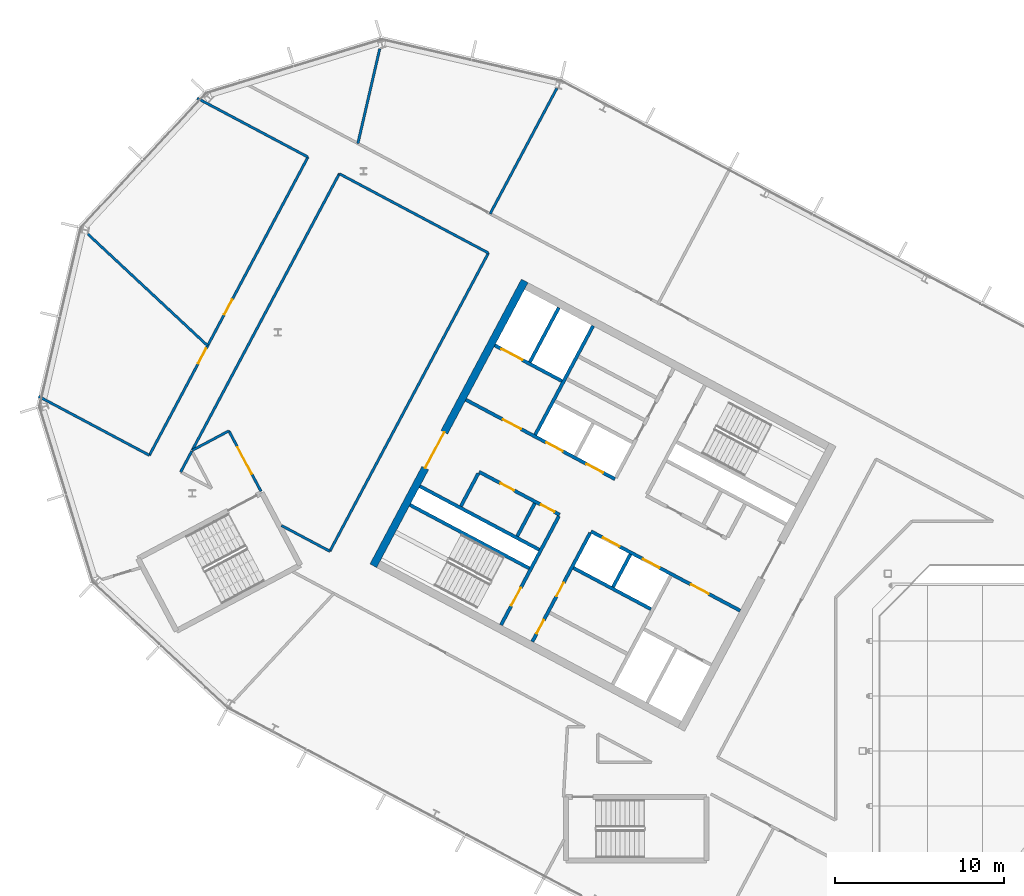
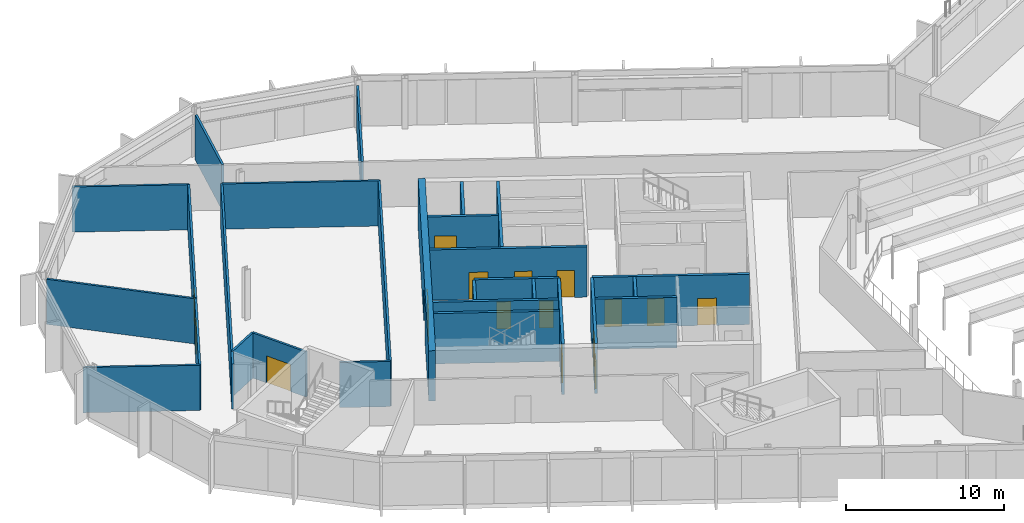
# One storey, part 24 of 35: 28 walls, 16 doors, 16 openings.
"""IFC4 building model written with IfcOpenShell, lengths in metres."""

from ifc_helpers import new_model, si_unit, direction, frame, frame_2d, origin, place, context, subcontext, project, spatial, rectangle, extrude, material, layer, layer_set, type_object, element, fill, save


model = new_model("IFC4")

# Units and contexts
model_context = context("Model", 3, precision=1e-05, world=origin(), true_north=direction((0.0, 1.0)))
body_context = subcontext(model_context, "Body", "Model", "MODEL_VIEW")
ifc_project = project(units=[si_unit("LENGTHUNIT", "METRE"), si_unit("AREAUNIT", "SQUARE_METRE"), si_unit("VOLUMEUNIT", "CUBIC_METRE"), si_unit("PLANEANGLEUNIT", "RADIAN"), si_unit("MASSUNIT", "GRAM", prefix="KILO")], contexts=[model_context])

# Site, building, storey
site_placement = place(None, origin())
site = spatial("IfcSite", under=ifc_project, at=site_placement, CompositionType="ELEMENT")
building_placement = place(site_placement, origin())
building = spatial("IfcBuilding", under=site, at=building_placement, Name="Cormorant Relay Tower", CompositionType="ELEMENT")
storey_placement = place(building_placement, frame((0.0, 0.0, 324.300048828125)))
storey = spatial("IfcBuildingStorey", under=building, at=storey_placement, Name="L74", CompositionType="ELEMENT", Elevation=324.300048828125)

# Walls
ifc_material_1 = material(Name="Concrete 40 MPa", Category="concrete")
ifc_layer_1 = layer(ifc_material_1, 0.199951171875)
ifc_layer_set_1 = layer_set([ifc_layer_1], Name="Core internal wall 200")
wall_type_1 = type_object("IfcWallType", Name="Core internal wall 200", PredefinedType="SOLIDWALL", material=ifc_layer_set_1)
wall_1_placement = place(storey_placement, frame((-25.744140625, 11.64990234375, 0.0), z_axis=(0.0, 0.0, 1.0), x_axis=(-0.469487830541, -0.882938942948, 0.0)))
element("IfcWall", 1, at=wall_1_placement, inside=storey, type_object=wall_type_1, Name="L74 core A shaft and room wall", PredefinedType="SOLIDWALL", context=body_context, shape_type="SweptSolid", body=[
    extrude(rectangle(XDim=2.2001953125, YDim=0.199951171875, at=frame_2d((1.10009765625, 0.0))), origin(), (0.0, 0.0, 1.0), 3.89990234375),
])
wall_2_placement = place(storey_placement, frame((-31.41259765625, 14.663818359375, 0.0), z_axis=(0.0, 0.0, 1.0), x_axis=(-0.469533832133, -0.882914480843, 0.0)))
element("IfcWall", 2, at=wall_2_placement, inside=storey, type_object=wall_type_1, Name="L74 core A shaft and room wall", PredefinedType="SOLIDWALL", context=body_context, shape_type="SweptSolid", body=[
    extrude(rectangle(XDim=2.199951171875, YDim=0.199951171875, at=frame_2d((1.10009765625, 0.0))), origin(), (0.0, 0.0, 1.0), 3.89990234375),
])

# Wall, openings, doors
ifc_material_2 = material(Name="Concrete 50 MPa", Category="concrete")
ifc_layer_2 = layer(ifc_material_2, 0.199951171875)
ifc_layer_set_2 = layer_set([ifc_layer_2], Name="Core shaft wall 200")
wall_type_2 = type_object("IfcWallType", Name="Core shaft wall 200", PredefinedType="SHEAR", material=ifc_layer_set_2)
wall_3_placement = place(storey_placement, frame((-28.128173828125, 12.91748046875, 0.0), z_axis=(0.0, 0.0, 1.0), x_axis=(-0.469454336211, -0.882956752176, 0.0)))
wall_3 = element("IfcWall", 3, at=wall_3_placement, inside=storey, type_object=wall_type_2, Name="L74 core A shaft wall", PredefinedType="SHEAR", context=body_context, shape_type="SweptSolid", body=[
    extrude(rectangle(XDim=7.300048828125, YDim=0.199951171875, at=frame_2d((3.64990234375, 0.0))), origin(), (0.0, 0.0, 1.0), 3.89990234375),
])
opening_1_placement = place(wall_3_placement, frame((3.35009765625, 0.0, 0.0)))
opening_1 = element("IfcOpeningElement", 4, at=opening_1_placement, cuts=wall_3, Name="Opening CDD-350", PredefinedType="OPENING", context=body_context, shape_type="SweptSolid", body=[
    extrude(rectangle(XDim=0.89990234375, YDim=2.10009765625, at=frame_2d((0.449951171875, 1.050048828125))), frame((0.0, 0.10986328125, 0.0), z_axis=(0.0, -1.0, 0.0), x_axis=(1.0, 0.0, 0.0)), (0.0, 0.0, 1.0), 0.219970703125),
])
opening_2_placement = place(wall_3_placement, frame((5.85009765625, 0.0, 0.0)))
opening_2 = element("IfcOpeningElement", 5, at=opening_2_placement, cuts=wall_3, Name="Opening CDD-351", PredefinedType="OPENING", context=body_context, shape_type="SweptSolid", body=[
    extrude(rectangle(XDim=0.89990234375, YDim=2.10009765625, at=frame_2d((0.449951171875, 1.050048828125))), frame((0.0, 0.10986328125, 0.0), z_axis=(0.0, -1.0, 0.0), x_axis=(1.0, 0.0, 0.0)), (0.0, 0.0, 1.0), 0.219970703125),
])
ifc_material_3 = material(Name="Steel fire door", Category="steel")
door_type_1 = type_object("IfcDoorType", Name="Core room door 900x2100", OperationType="SINGLE_SWING_LEFT", PredefinedType="DOOR", material=ifc_material_3)
door_1_placement = place(opening_1_placement, origin())
door_1 = element("IfcDoor", 6, at=door_1_placement, inside=storey, type_object=door_type_1, Name="Core room door 900x2100", OperationType="SINGLE_SWING_LEFT", OverallHeight=2.10009765625, OverallWidth=0.89990234375, PredefinedType="DOOR", context=body_context, shape_type="SweptSolid", body=[
    extrude(rectangle(XDim=0.89990234375, YDim=2.10009765625, at=frame_2d((0.449951171875, 1.050048828125))), frame((0.0, 0.02490234375, 0.0), z_axis=(0.0, -1.0, 0.0), x_axis=(1.0, 0.0, 0.0)), (0.0, 0.0, 1.0), 0.050048828125),
])
fill(opening_1, door_1)
door_2_placement = place(opening_2_placement, origin())
door_2 = element("IfcDoor", 7, at=door_2_placement, inside=storey, type_object=door_type_1, Name="Core room door 900x2100", OperationType="SINGLE_SWING_LEFT", OverallHeight=2.10009765625, OverallWidth=0.89990234375, PredefinedType="DOOR", context=body_context, shape_type="SweptSolid", body=[
    extrude(rectangle(XDim=0.89990234375, YDim=2.10009765625, at=frame_2d((0.449951171875, 1.050048828125))), frame((0.0, 0.02490234375, 0.0), z_axis=(0.0, -1.0, 0.0), x_axis=(1.0, 0.0, 0.0)), (0.0, 0.0, 1.0), 0.050048828125),
])
fill(opening_2, door_2)

# Wall, opening, door
wall_4_placement = place(storey_placement, frame((-29.982421875, 13.9033203125, 0.0), z_axis=(0.0, 0.0, 1.0), x_axis=(-0.469454336211, -0.882956752176, 0.0)))
wall_4 = element("IfcWall", 8, at=wall_4_placement, inside=storey, type_object=wall_type_2, Name="L74 core A shaft wall", PredefinedType="SHEAR", context=body_context, shape_type="SweptSolid", body=[
    extrude(rectangle(XDim=7.300048828125, YDim=0.199951171875, at=frame_2d((3.64990234375, 0.0))), origin(), (0.0, 0.0, 1.0), 3.89990234375),
])
opening_3_placement = place(wall_4_placement, frame((4.800048828125, 0.0, 0.0)))
opening_3 = element("IfcOpeningElement", 9, at=opening_3_placement, cuts=wall_4, Name="Opening CDB-039", PredefinedType="OPENING", context=body_context, shape_type="SweptSolid", body=[
    extrude(rectangle(XDim=1.199951171875, YDim=2.10009765625, at=frame_2d((0.60009765625, 1.050048828125))), frame((0.0, 0.10986328125, 0.0), z_axis=(0.0, -1.0, 0.0), x_axis=(1.0, 0.0, 0.0)), (0.0, 0.0, 1.0), 0.219970703125),
])
ifc_material_4 = material(Name="Steel fire door", Category="steel")
door_type_2 = type_object("IfcDoorType", Name="Core stair door 1200x2100", OperationType="SINGLE_SWING_LEFT", PredefinedType="DOOR", material=ifc_material_4)
door_3_placement = place(opening_3_placement, frame((1.199951171875, 0.0, 0.0), z_axis=(0.0, 0.0, 1.0), x_axis=(-1.0, 0.0, 0.0)))
door_3 = element("IfcDoor", 10, at=door_3_placement, inside=storey, type_object=door_type_2, Name="Core stair door 1200x2100", OperationType="SINGLE_SWING_RIGHT", OverallHeight=2.10009765625, OverallWidth=1.199951171875, PredefinedType="DOOR", context=body_context, shape_type="SweptSolid", body=[
    extrude(rectangle(XDim=1.199951171875, YDim=2.10009765625, at=frame_2d((0.60009765625, 1.050048828125))), frame((0.0, 0.02490234375, 0.0), z_axis=(0.0, -1.0, 0.0), x_axis=(1.0, 0.0, 0.0)), (0.0, 0.0, 1.0), 0.050048828125),
])
fill(opening_3, door_3)

# Walls
wall_5_placement = place(storey_placement, frame((-27.955322265625, 25.170654296875, 0.0), z_axis=(0.0, 0.0, 1.0), x_axis=(-0.469480409012, -0.88294288918, 0.0)))
element("IfcWall", 11, at=wall_5_placement, inside=storey, type_object=wall_type_2, Name="L74 core A shaft wall", PredefinedType="SHEAR", context=body_context, shape_type="SweptSolid", body=[
    extrude(rectangle(XDim=7.300048828125, YDim=0.199951171875, at=frame_2d((3.64990234375, 0.0))), origin(), (0.0, 0.0, 1.0), 3.89990234375),
])
wall_6_placement = place(storey_placement, frame((-34.750244140625, 16.4384765625, 0.0), z_axis=(0.0, 0.0, 1.0), x_axis=(-0.469401318492, -0.882984938828, 0.0)))
element("IfcWall", 12, at=wall_6_placement, inside=storey, type_object=wall_type_2, Name="L74 core A shaft wall", PredefinedType="SHEAR", context=body_context, shape_type="SweptSolid", body=[
    extrude(rectangle(XDim=2.199951171875, YDim=0.199951171875, at=frame_2d((1.10009765625, 0.0))), origin(), (0.0, 0.0, 1.0), 3.89990234375),
])
wall_7_placement = place(storey_placement, frame((-29.986083984375, 26.250244140625, 0.0), z_axis=(0.0, 0.0, 1.0), x_axis=(-0.469494272526, -0.882935517501, 0.0)))
element("IfcWall", 13, at=wall_7_placement, inside=storey, type_object=wall_type_2, Name="L74 core A shaft wall", PredefinedType="SHEAR", context=body_context, shape_type="SweptSolid", body=[
    extrude(rectangle(XDim=3.64990234375, YDim=0.199951171875, at=frame_2d((1.824951171875, 0.0))), origin(), (0.0, 0.0, 1.0), 3.89990234375),
])

# Wall, opening, door
wall_8_placement = place(storey_placement, frame((-29.80419921875, 21.906494140625, 0.0), z_axis=(0.0, 0.0, 1.0), x_axis=(-0.882960433586, 0.469447412093, 0.0)))
wall_8 = element("IfcWall", 14, at=wall_8_placement, inside=storey, type_object=wall_type_2, Name="L74 core A shaft wall", PredefinedType="SHEAR", context=body_context, shape_type="SweptSolid", body=[
    extrude(rectangle(XDim=4.5, YDim=0.199951171875, at=frame_2d((2.25, 0.0))), origin(), (0.0, 0.0, 1.0), 3.89990234375),
])
opening_4_placement = place(wall_8_placement, frame((2.64990234375, 0.0, 0.0)))
opening_4 = element("IfcOpeningElement", 15, at=opening_4_placement, cuts=wall_8, Name="Opening LD3-015", PredefinedType="OPENING", context=body_context, shape_type="SweptSolid", body=[
    extrude(rectangle(XDim=1.39990234375, YDim=2.39990234375, at=frame_2d((0.699951171875, 1.199951171875))), frame((0.0, 0.10986328125, 0.0), z_axis=(0.0, -1.0, 0.0), x_axis=(1.0, 0.0, 0.0)), (0.0, 0.0, 1.0), 0.219970703125),
])
ifc_material_5 = material(Name="Stainless steel 316", Category="steel")
door_type_3 = type_object("IfcDoorType", Name="Lift landing door 1400x2400", OperationType="DOUBLE_DOOR_SLIDING", PredefinedType="DOOR", material=ifc_material_5)
door_4_placement = place(opening_4_placement, origin())
door_4 = element("IfcDoor", 16, at=door_4_placement, inside=storey, type_object=door_type_3, Name="SV1 landing door", OperationType="DOUBLE_DOOR_SLIDING", OverallHeight=2.39990234375, OverallWidth=1.39990234375, PredefinedType="DOOR", context=body_context, shape_type="SweptSolid", body=[
    extrude(rectangle(XDim=1.39990234375, YDim=2.39990234375, at=frame_2d((0.699951171875, 1.199951171875))), frame((0.0, 0.02490234375, 0.0), z_axis=(0.0, -1.0, 0.0), x_axis=(1.0, 0.0, 0.0)), (0.0, 0.0, 1.0), 0.050048828125),
])
fill(opening_4, door_4)

# Wall, openings, doors
wall_9_placement = place(storey_placement, frame((-26.66162109375, 16.1015625, 0.0), z_axis=(0.0, 0.0, 1.0), x_axis=(-0.882940221191, 0.469485426614, 0.0)))
wall_9 = element("IfcWall", 17, at=wall_9_placement, inside=storey, type_object=wall_type_2, Name="L74 core A shaft wall", PredefinedType="SHEAR", context=body_context, shape_type="SweptSolid", body=[
    extrude(rectangle(XDim=10.0, YDim=0.199951171875, at=frame_2d((5.0, 0.0))), origin(), (0.0, 0.0, 1.0), 3.89990234375),
])
opening_5_placement = place(wall_9_placement, frame((6.300048828125, 0.0, 0.0)))
opening_5 = element("IfcOpeningElement", 18, at=opening_5_placement, cuts=wall_9, Name="Opening CDC-034", PredefinedType="OPENING", context=body_context, shape_type="SweptSolid", body=[
    extrude(rectangle(XDim=1.199951171875, YDim=2.10009765625, at=frame_2d((0.60009765625, 1.050048828125))), frame((0.0, 0.10986328125, 0.0), z_axis=(0.0, -1.0, 0.0), x_axis=(1.0, 0.0, 0.0)), (0.0, 0.0, 1.0), 0.219970703125),
])
opening_6_placement = place(wall_9_placement, frame((0.800048828125, 0.0, 0.0)))
opening_6 = element("IfcOpeningElement", 19, at=opening_6_placement, cuts=wall_9, Name="Opening LD1-067", PredefinedType="OPENING", context=body_context, shape_type="SweptSolid", body=[
    extrude(rectangle(XDim=1.10009765625, YDim=2.10009765625, at=frame_2d((0.550048828125, 1.050048828125))), frame((0.0, 0.10986328125, 0.0), z_axis=(0.0, -1.0, 0.0), x_axis=(1.0, 0.0, 0.0)), (0.0, 0.0, 1.0), 0.219970703125),
])
opening_7_placement = place(wall_9_placement, frame((3.5, 0.0, 0.0)))
opening_7 = element("IfcOpeningElement", 20, at=opening_7_placement, cuts=wall_9, Name="Opening LD1-068", PredefinedType="OPENING", context=body_context, shape_type="SweptSolid", body=[
    extrude(rectangle(XDim=1.10009765625, YDim=2.10009765625, at=frame_2d((0.550048828125, 1.050048828125))), frame((0.0, 0.10986328125, 0.0), z_axis=(0.0, -1.0, 0.0), x_axis=(1.0, 0.0, 0.0)), (0.0, 0.0, 1.0), 0.219970703125),
])
ifc_material_6 = material(Name="Steel fire door", Category="steel")
door_type_4 = type_object("IfcDoorType", Name="Core lobby door 1200x2100", OperationType="SINGLE_SWING_LEFT", PredefinedType="DOOR", material=ifc_material_6)
door_5_placement = place(opening_5_placement, origin())
door_5 = element("IfcDoor", 21, at=door_5_placement, inside=storey, type_object=door_type_4, Name="Core lobby door 1200x2100", OperationType="SINGLE_SWING_LEFT", OverallHeight=2.10009765625, OverallWidth=1.199951171875, PredefinedType="DOOR", context=body_context, shape_type="SweptSolid", body=[
    extrude(rectangle(XDim=1.199951171875, YDim=2.10009765625, at=frame_2d((0.60009765625, 1.050048828125))), frame((0.0, 0.02490234375, 0.0), z_axis=(0.0, -1.0, 0.0), x_axis=(1.0, 0.0, 0.0)), (0.0, 0.0, 1.0), 0.050048828125),
])
fill(opening_5, door_5)
ifc_material_7 = material(Name="Stainless steel 316", Category="steel")
door_type_5 = type_object("IfcDoorType", Name="Lift landing door 1100x2100", OperationType="DOUBLE_DOOR_SLIDING", PredefinedType="DOOR", material=ifc_material_7)
door_6_placement = place(opening_6_placement, origin())
door_6 = element("IfcDoor", 22, at=door_6_placement, inside=storey, type_object=door_type_5, Name="HR3 landing door", OperationType="DOUBLE_DOOR_SLIDING", OverallHeight=2.10009765625, OverallWidth=1.10009765625, PredefinedType="DOOR", context=body_context, shape_type="SweptSolid", body=[
    extrude(rectangle(XDim=1.10009765625, YDim=2.10009765625, at=frame_2d((0.550048828125, 1.050048828125))), frame((0.0, 0.02490234375, 0.0), z_axis=(0.0, -1.0, 0.0), x_axis=(1.0, 0.0, 0.0)), (0.0, 0.0, 1.0), 0.050048828125),
])
fill(opening_6, door_6)
door_7_placement = place(opening_7_placement, origin())
door_7 = element("IfcDoor", 23, at=door_7_placement, inside=storey, type_object=door_type_5, Name="HR4 landing door", OperationType="DOUBLE_DOOR_SLIDING", OverallHeight=2.10009765625, OverallWidth=1.10009765625, PredefinedType="DOOR", context=body_context, shape_type="SweptSolid", body=[
    extrude(rectangle(XDim=1.10009765625, YDim=2.10009765625, at=frame_2d((0.550048828125, 1.050048828125))), frame((0.0, 0.02490234375, 0.0), z_axis=(0.0, -1.0, 0.0), x_axis=(1.0, 0.0, 0.0)), (0.0, 0.0, 1.0), 0.050048828125),
])
fill(opening_7, door_7)

wall_10_placement = place(storey_placement, frame((-19.251708984375, 8.31103515625, 0.0), z_axis=(0.0, 0.0, 1.0), x_axis=(-0.882955722218, 0.469456273365, 0.0)))
wall_10 = element("IfcWall", 24, at=wall_10_placement, inside=storey, type_object=wall_type_2, Name="L74 core A shaft wall", PredefinedType="SHEAR", context=body_context, shape_type="SweptSolid", body=[
    extrude(rectangle(XDim=10.0, YDim=0.199951171875, at=frame_2d((5.0, 0.0))), origin(), (0.0, 0.0, 1.0), 3.89990234375),
])
opening_8_placement = place(wall_10_placement, frame((2.10009765625, 0.0, 0.0)))
opening_8 = element("IfcOpeningElement", 25, at=opening_8_placement, cuts=wall_10, Name="Opening CDC-033", PredefinedType="OPENING", context=body_context, shape_type="SweptSolid", body=[
    extrude(rectangle(XDim=1.199951171875, YDim=2.10009765625, at=frame_2d((0.60009765625, 1.050048828125))), frame((0.0, 0.10986328125, 0.0), z_axis=(0.0, -1.0, 0.0), x_axis=(1.0, 0.0, 0.0)), (0.0, 0.0, 1.0), 0.219970703125),
])
opening_9_placement = place(wall_10_placement, frame((5.39990234375, 0.0, 0.0)))
opening_9 = element("IfcOpeningElement", 26, at=opening_9_placement, cuts=wall_10, Name="Opening LD1-065", PredefinedType="OPENING", context=body_context, shape_type="SweptSolid", body=[
    extrude(rectangle(XDim=1.10009765625, YDim=2.10009765625, at=frame_2d((0.550048828125, 1.050048828125))), frame((0.0, 0.10986328125, 0.0), z_axis=(0.0, -1.0, 0.0), x_axis=(1.0, 0.0, 0.0)), (0.0, 0.0, 1.0), 0.219970703125),
])
opening_10_placement = place(wall_10_placement, frame((8.10009765625, 0.0, 0.0)))
opening_10 = element("IfcOpeningElement", 27, at=opening_10_placement, cuts=wall_10, Name="Opening LD1-066", PredefinedType="OPENING", context=body_context, shape_type="SweptSolid", body=[
    extrude(rectangle(XDim=1.10009765625, YDim=2.10009765625, at=frame_2d((0.550048828125, 1.050048828125))), frame((0.0, 0.10986328125, 0.0), z_axis=(0.0, -1.0, 0.0), x_axis=(1.0, 0.0, 0.0)), (0.0, 0.0, 1.0), 0.219970703125),
])
door_8_placement = place(opening_8_placement, origin())
door_8 = element("IfcDoor", 28, at=door_8_placement, inside=storey, type_object=door_type_4, Name="Core lobby door 1200x2100", OperationType="SINGLE_SWING_RIGHT", OverallHeight=2.10009765625, OverallWidth=1.199951171875, PredefinedType="DOOR", context=body_context, shape_type="SweptSolid", body=[
    extrude(rectangle(XDim=1.199951171875, YDim=2.10009765625, at=frame_2d((0.60009765625, 1.050048828125))), frame((0.0, 0.02490234375, 0.0), z_axis=(0.0, -1.0, 0.0), x_axis=(1.0, 0.0, 0.0)), (0.0, 0.0, 1.0), 0.050048828125),
])
fill(opening_8, door_8)
door_9_placement = place(opening_9_placement, origin())
door_9 = element("IfcDoor", 29, at=door_9_placement, inside=storey, type_object=door_type_5, Name="HR1 landing door", OperationType="DOUBLE_DOOR_SLIDING", OverallHeight=2.10009765625, OverallWidth=1.10009765625, PredefinedType="DOOR", context=body_context, shape_type="SweptSolid", body=[
    extrude(rectangle(XDim=1.10009765625, YDim=2.10009765625, at=frame_2d((0.550048828125, 1.050048828125))), frame((0.0, 0.02490234375, 0.0), z_axis=(0.0, -1.0, 0.0), x_axis=(1.0, 0.0, 0.0)), (0.0, 0.0, 1.0), 0.050048828125),
])
fill(opening_9, door_9)
door_10_placement = place(opening_10_placement, origin())
door_10 = element("IfcDoor", 30, at=door_10_placement, inside=storey, type_object=door_type_5, Name="HR2 landing door", OperationType="DOUBLE_DOOR_SLIDING", OverallHeight=2.10009765625, OverallWidth=1.10009765625, PredefinedType="DOOR", context=body_context, shape_type="SweptSolid", body=[
    extrude(rectangle(XDim=1.10009765625, YDim=2.10009765625, at=frame_2d((0.550048828125, 1.050048828125))), frame((0.0, 0.02490234375, 0.0), z_axis=(0.0, -1.0, 0.0), x_axis=(1.0, 0.0, 0.0)), (0.0, 0.0, 1.0), 0.050048828125),
])
fill(opening_10, door_10)

wall_11_placement = place(storey_placement, frame((-29.935302734375, 13.991455078125, 0.0), z_axis=(0.0, 0.0, 1.0), x_axis=(-0.882952937579, 0.469461510692, 0.0)))
wall_11 = element("IfcWall", 31, at=wall_11_placement, inside=storey, type_object=wall_type_2, Name="L74 core A shaft wall", PredefinedType="SHEAR", context=body_context, shape_type="SweptSolid", body=[
    extrude(rectangle(XDim=5.400146484375, YDim=0.199951171875, at=frame_2d((2.7001953125, 0.0))), origin(), (0.0, 0.0, 1.0), 3.89990234375),
])
opening_11_placement = place(wall_11_placement, frame((0.360107421875, 0.0, 0.0)))
opening_11 = element("IfcOpeningElement", 32, at=opening_11_placement, cuts=wall_11, Name="Opening CDD-320", PredefinedType="OPENING", context=body_context, shape_type="SweptSolid", body=[
    extrude(rectangle(XDim=0.89990234375, YDim=2.10009765625, at=frame_2d((0.449951171875, 1.050048828125))), frame((0.0, 0.10986328125, 0.0), z_axis=(0.0, -1.0, 0.0), x_axis=(1.0, 0.0, 0.0)), (0.0, 0.0, 1.0), 0.219970703125),
])
opening_12_placement = place(wall_11_placement, frame((3.06005859375, 0.0, 0.0)))
opening_12 = element("IfcOpeningElement", 33, at=opening_12_placement, cuts=wall_11, Name="Opening CDD-321", PredefinedType="OPENING", context=body_context, shape_type="SweptSolid", body=[
    extrude(rectangle(XDim=0.89990234375, YDim=2.10009765625, at=frame_2d((0.449951171875, 1.050048828125))), frame((0.0, 0.10986328125, 0.0), z_axis=(0.0, -1.0, 0.0), x_axis=(1.0, 0.0, 0.0)), (0.0, 0.0, 1.0), 0.219970703125),
])
door_11_placement = place(opening_11_placement, origin())
door_11 = element("IfcDoor", 34, at=door_11_placement, inside=storey, type_object=door_type_1, Name="Core room door 900x2100", OperationType="SINGLE_SWING_LEFT", OverallHeight=2.10009765625, OverallWidth=0.89990234375, PredefinedType="DOOR", context=body_context, shape_type="SweptSolid", body=[
    extrude(rectangle(XDim=0.89990234375, YDim=2.10009765625, at=frame_2d((0.449951171875, 1.050048828125))), frame((0.0, 0.02490234375, 0.0), z_axis=(0.0, -1.0, 0.0), x_axis=(1.0, 0.0, 0.0)), (0.0, 0.0, 1.0), 0.050048828125),
])
fill(opening_11, door_11)
door_12_placement = place(opening_12_placement, origin())
door_12 = element("IfcDoor", 35, at=door_12_placement, inside=storey, type_object=door_type_1, Name="Core room door 900x2100", OperationType="SINGLE_SWING_LEFT", OverallHeight=2.10009765625, OverallWidth=0.89990234375, PredefinedType="DOOR", context=body_context, shape_type="SweptSolid", body=[
    extrude(rectangle(XDim=0.89990234375, YDim=2.10009765625, at=frame_2d((0.449951171875, 1.050048828125))), frame((0.0, 0.02490234375, 0.0), z_axis=(0.0, -1.0, 0.0), x_axis=(1.0, 0.0, 0.0)), (0.0, 0.0, 1.0), 0.050048828125),
])
fill(opening_12, door_12)

# Walls
wall_12_placement = place(storey_placement, frame((-24.5283203125, 8.3984375, 0.0), z_axis=(0.0, 0.0, 1.0), x_axis=(-0.882953967957, 0.469459572775, 0.0)))
element("IfcWall", 36, at=wall_12_placement, inside=storey, type_object=wall_type_2, Name="L74 core A shaft wall", PredefinedType="SHEAR", context=body_context, shape_type="SweptSolid", body=[
    extrude(rectangle(XDim=5.199951171875, YDim=0.199951171875, at=frame_2d((2.60009765625, 0.0))), origin(), (0.0, 0.0, 1.0), 3.89990234375),
])
for number, where, z_axis, x_axis, name in (
    (37, (-31.150390625, 11.91943359375, 0.0), (0.0, 0.0, 1.0), (-0.882940221191, 0.469485426614, 0.0), "L74 core A shaft wall"),
    (38, (-31.7373046875, 10.815673828125, 0.0), (0.0, 0.0, 1.0), (-0.882940221191, 0.469485426614, 0.0), "L74 core A shaft wall"),
):
    element("IfcWall", number, at=place(storey_placement, frame(where, z_axis=z_axis, x_axis=x_axis)), inside=storey, type_object=wall_type_2, Name=name, PredefinedType="SHEAR", context=body_context, shape_type="SweptSolid", body=[
        extrude(rectangle(XDim=8.0, YDim=0.199951171875, at=frame_2d((4.0, 0.0))), origin(), (0.0, 0.0, 1.0), 3.89990234375),
    ])

# Wall, opening, door
ifc_material_8 = material(Name="Concrete 50 MPa", Category="concrete")
ifc_layer_3 = layer(ifc_material_8, 0.449951171875)
ifc_layer_set_3 = layer_set([ifc_layer_3], Name="Core wall 450")
wall_type_3 = type_object("IfcWallType", Name="Core wall 450", PredefinedType="SHEAR", material=ifc_layer_set_3)
wall_13_placement = place(storey_placement, frame((-32.00439453125, 27.8330078125, 0.0), z_axis=(0.0, 0.0, 1.0), x_axis=(-0.469467968382, -0.882949504028, 0.0)))
wall_13 = element("IfcWall", 39, at=wall_13_placement, inside=storey, type_object=wall_type_3, Name="L74 core A wall", PredefinedType="SHEAR", context=body_context, shape_type="SweptSolid", body=[
    extrude(rectangle(XDim=19.099853515625, YDim=0.449951171875, at=frame_2d((9.5498046875, 0.0))), origin(), (0.0, 0.0, 1.0), 3.89990234375),
])
opening_13_placement = place(wall_13_placement, frame((10.14990234375, 0.0, 0.0)))
opening_13 = element("IfcOpeningElement", 40, at=opening_13_placement, cuts=wall_13, Name="Opening CDA-051", PredefinedType="OPENING", context=body_context, shape_type="SweptSolid", body=[
    extrude(rectangle(XDim=2.39990234375, YDim=2.39990234375, at=frame_2d((1.199951171875, 1.199951171875))), frame((0.0, 0.23486328125, 0.0), z_axis=(0.0, -1.0, 0.0), x_axis=(1.0, 0.0, 0.0)), (0.0, 0.0, 1.0), 0.469970703125),
])
ifc_material_9 = material(Name="Steel fire door", Category="steel")
door_type_6 = type_object("IfcDoorType", Name="Core lobby door 2400x2400", OperationType="DOUBLE_DOOR_SINGLE_SWING", PredefinedType="DOOR", material=ifc_material_9)
door_13_placement = place(opening_13_placement, origin())
door_13 = element("IfcDoor", 41, at=door_13_placement, inside=storey, type_object=door_type_6, Name="Core lobby door 2400x2400", OperationType="DOUBLE_DOOR_SINGLE_SWING", OverallHeight=2.39990234375, OverallWidth=2.39990234375, PredefinedType="DOOR", context=body_context, shape_type="SweptSolid", body=[
    extrude(rectangle(XDim=2.39990234375, YDim=2.39990234375, at=frame_2d((1.199951171875, 1.199951171875))), frame((0.0, 0.02490234375, 0.0), z_axis=(0.0, -1.0, 0.0), x_axis=(1.0, 0.0, 0.0)), (0.0, 0.0, 1.0), 0.050048828125),
])
fill(opening_13, door_13)

# Wall, openings, doors
ifc_material_10 = material(Name="Gypsum board fire partition")
ifc_layer_4 = layer(ifc_material_10, 0.14990234375)
ifc_layer_set_4 = layer_set([ifc_layer_4], Name="Corridor partition 150 EI 60")
wall_type_4 = type_object("IfcWallType", Name="Corridor partition 150 EI 60", PredefinedType="PARTITIONING", material=ifc_layer_set_4)
wall_14_placement = place(storey_placement, frame((-54.22802734375, 17.508056640625, 0.0), z_axis=(0.0, 0.0, 1.0), x_axis=(0.469451816494, 0.882958091865, 0.0)))
wall_14 = element("IfcWall", 42, at=wall_14_placement, inside=storey, type_object=wall_type_4, Name="wall/L74/part/001", PredefinedType="PARTITIONING", context=body_context, shape_type="SweptSolid", body=[
    extrude(rectangle(XDim=19.999755859375, YDim=0.14990234375, at=frame_2d((10.0, 0.0))), origin(), (0.0, 0.0, 1.0), 3.5),
])
opening_14_placement = place(wall_14_placement, frame((9.449951171875, 0.0, 0.0)))
opening_14 = element("IfcOpeningElement", 43, at=opening_14_placement, cuts=wall_14, Name="Opening DS-282", PredefinedType="OPENING", context=body_context, shape_type="SweptSolid", body=[
    extrude(rectangle(XDim=1.0, YDim=2.10009765625, at=frame_2d((0.5, 1.050048828125))), frame((0.0, 0.0849609375, 0.0), z_axis=(0.0, -1.0, 0.0), x_axis=(1.0, 0.0, 0.0)), (0.0, 0.0, 1.0), 0.169921875),
])
opening_15_placement = place(wall_14_placement, frame((6.14990234375, 0.0, 0.0)))
opening_15 = element("IfcOpeningElement", 44, at=opening_15_placement, cuts=wall_14, Name="Opening DS-283", PredefinedType="OPENING", context=body_context, shape_type="SweptSolid", body=[
    extrude(rectangle(XDim=1.0, YDim=2.10009765625, at=frame_2d((0.5, 1.050048828125))), frame((0.0, 0.0849609375, 0.0), z_axis=(0.0, -1.0, 0.0), x_axis=(1.0, 0.0, 0.0)), (0.0, 0.0, 1.0), 0.169921875),
])
ifc_material_11 = material(Name="Timber door leaf", Category="wood")
door_type_7 = type_object("IfcDoorType", Name="Suite door 1000x2100", OperationType="SINGLE_SWING_LEFT", PredefinedType="DOOR", material=ifc_material_11)
door_14_placement = place(opening_14_placement, origin())
door_14 = element("IfcDoor", 45, at=door_14_placement, inside=storey, type_object=door_type_7, Name="door/L74/001", OperationType="SINGLE_SWING_RIGHT", OverallHeight=2.10009765625, OverallWidth=1.0, PredefinedType="DOOR", context=body_context, shape_type="SweptSolid", body=[
    extrude(rectangle(XDim=1.0, YDim=2.10009765625, at=frame_2d((0.5, 1.050048828125))), frame((0.0, 0.02490234375, 0.0), z_axis=(0.0, -1.0, 0.0), x_axis=(1.0, 0.0, 0.0)), (0.0, 0.0, 1.0), 0.050048828125),
])
fill(opening_14, door_14)
door_15_placement = place(opening_15_placement, origin())
door_15 = element("IfcDoor", 46, at=door_15_placement, inside=storey, type_object=door_type_7, Name="door/L74/002", OperationType="SINGLE_SWING_RIGHT", OverallHeight=2.10009765625, OverallWidth=1.0, PredefinedType="DOOR", context=body_context, shape_type="SweptSolid", body=[
    extrude(rectangle(XDim=1.0, YDim=2.10009765625, at=frame_2d((0.5, 1.050048828125))), frame((0.0, 0.02490234375, 0.0), z_axis=(0.0, -1.0, 0.0), x_axis=(1.0, 0.0, 0.0)), (0.0, 0.0, 1.0), 0.050048828125),
])
fill(opening_15, door_15)

# Walls
wall_15_placement = place(storey_placement, frame((-44.839111328125, 35.1669921875, 0.0), z_axis=(0.0, 0.0, 1.0), x_axis=(-0.882991834211, 0.469388347444, 0.0)))
element("IfcWall", 47, at=wall_15_placement, inside=storey, type_object=wall_type_4, Name="wall/L74/part/002", PredefinedType="PARTITIONING", context=body_context, shape_type="SweptSolid", body=[
    extrude(rectangle(XDim=7.4267578125, YDim=0.14990234375, at=frame_2d((3.71337890625, 0.0))), origin(), (0.0, 0.0, 1.0), 3.5),
])
wall_16_placement = place(storey_placement, frame((-54.22802734375, 17.508056640625, 0.0), z_axis=(0.0, 0.0, 1.0), x_axis=(-0.882937333257, 0.469490857783, 0.0)))
element("IfcWall", 48, at=wall_16_placement, inside=storey, type_object=wall_type_4, Name="wall/L74/part/004", PredefinedType="PARTITIONING", context=body_context, shape_type="SweptSolid", body=[
    extrude(rectangle(XDim=7.42724609375, YDim=0.14990234375, at=frame_2d((3.713623046875, 0.0))), origin(), (0.0, 0.0, 1.0), 3.5),
])

# Wall, opening, door
wall_17_placement = place(storey_placement, frame((-47.62109375, 15.3779296875, 0.0), z_axis=(0.0, 0.0, 1.0), x_axis=(-0.469542997944, 0.882909606404, 0.0)))
wall_17 = element("IfcWall", 49, at=wall_17_placement, inside=storey, type_object=wall_type_4, Name="wall/L74/part/009", PredefinedType="PARTITIONING", context=body_context, shape_type="SweptSolid", body=[
    extrude(rectangle(XDim=4.050537109375, YDim=0.14990234375, at=frame_2d((2.025390625, 0.0))), origin(), (0.0, 0.0, 1.0), 3.5),
])
opening_16_placement = place(wall_17_placement, frame((1.14990234375, 0.0, 0.0)))
opening_16 = element("IfcOpeningElement", 50, at=opening_16_placement, cuts=wall_17, Name="Opening DD-046", PredefinedType="OPENING", context=body_context, shape_type="SweptSolid", body=[
    extrude(rectangle(XDim=1.800048828125, YDim=2.10009765625, at=frame_2d((0.89990234375, 1.050048828125))), frame((0.0, 0.0849609375, 0.0), z_axis=(0.0, -1.0, 0.0), x_axis=(1.0, 0.0, 0.0)), (0.0, 0.0, 1.0), 0.169921875),
])
ifc_material_12 = material(Name="Timber door leaf", Category="wood")
door_type_8 = type_object("IfcDoorType", Name="Suite double door 1800x2100", OperationType="DOUBLE_DOOR_SINGLE_SWING", PredefinedType="DOOR", material=ifc_material_12)
door_16_placement = place(opening_16_placement, frame((1.800048828125, 0.0, 0.0), z_axis=(0.0, 0.0, 1.0), x_axis=(-1.0, 0.0, 0.0)))
door_16 = element("IfcDoor", 51, at=door_16_placement, inside=storey, type_object=door_type_8, Name="door/L74/003", OperationType="DOUBLE_DOOR_SINGLE_SWING", OverallHeight=2.10009765625, OverallWidth=1.800048828125, PredefinedType="DOOR", context=body_context, shape_type="SweptSolid", body=[
    extrude(rectangle(XDim=1.800048828125, YDim=2.10009765625, at=frame_2d((0.89990234375, 1.050048828125))), frame((0.0, 0.02490234375, 0.0), z_axis=(0.0, -1.0, 0.0), x_axis=(1.0, 0.0, 0.0)), (0.0, 0.0, 1.0), 0.050048828125),
])
fill(opening_16, door_16)

# Walls
wall_18_placement = place(storey_placement, frame((-49.52294921875, 18.9541015625, 0.0), z_axis=(0.0, 0.0, 1.0), x_axis=(-0.882767334528, -0.469810422501, 0.0)))
element("IfcWall", 52, at=wall_18_placement, inside=storey, type_object=wall_type_4, Name="wall/L74/part/010", PredefinedType="PARTITIONING", context=body_context, shape_type="SweptSolid", body=[
    extrude(rectangle(XDim=2.460693359375, YDim=0.14990234375, at=frame_2d((1.23046875, 0.0))), origin(), (0.0, 0.0, 1.0), 3.5),
])
wall_19_placement = place(storey_placement, frame((-51.695068359375, 17.798095703125, 0.0), z_axis=(0.0, 0.0, 1.0), x_axis=(0.469483567396, 0.88294120979, 0.0)))
element("IfcWall", 53, at=wall_19_placement, inside=storey, type_object=wall_type_4, Name="wall/L74/part/011", PredefinedType="PARTITIONING", context=body_context, shape_type="SweptSolid", body=[
    extrude(rectangle(XDim=18.554931640625, YDim=0.14990234375, at=frame_2d((9.27734375, 0.0))), origin(), (0.0, 0.0, 1.0), 3.5),
])
wall_20_placement = place(storey_placement, frame((-42.98388671875, 34.180908203125, 0.0), z_axis=(0.0, 0.0, 1.0), x_axis=(0.882929457898, -0.469505668097, 0.0)))
element("IfcWall", 54, at=wall_20_placement, inside=storey, type_object=wall_type_4, Name="wall/L74/part/012", PredefinedType="PARTITIONING", context=body_context, shape_type="SweptSolid", body=[
    extrude(rectangle(XDim=9.99951171875, YDim=0.14990234375, at=frame_2d((4.999755859375, 0.0))), origin(), (0.0, 0.0, 1.0), 3.5),
])
wall_21_placement = place(storey_placement, frame((-34.155029296875, 29.486083984375, 0.0), z_axis=(0.0, 0.0, 1.0), x_axis=(-0.469446756585, -0.882960782103, 0.0)))
element("IfcWall", 55, at=wall_21_placement, inside=storey, type_object=wall_type_4, Name="wall/L74/part/013", PredefinedType="PARTITIONING", context=body_context, shape_type="SweptSolid", body=[
    extrude(rectangle(XDim=20.0, YDim=0.14990234375, at=frame_2d((10.0, 0.0))), origin(), (0.0, 0.0, 1.0), 3.5),
])
wall_22_placement = place(storey_placement, frame((-43.5439453125, 11.826904296875, 0.0), z_axis=(0.0, 0.0, 1.0), x_axis=(-0.882974130461, 0.469421649411, 0.0)))
element("IfcWall", 56, at=wall_22_placement, inside=storey, type_object=wall_type_4, Name="wall/L74/part/014", PredefinedType="PARTITIONING", context=body_context, shape_type="SweptSolid", body=[
    extrude(rectangle(XDim=3.238037109375, YDim=0.14990234375, at=frame_2d((1.619140625, 0.0))), origin(), (0.0, 0.0, 1.0), 3.5),
])
wall_23_placement = place(storey_placement, frame((-51.717041015625, 17.757080078125, 0.0), z_axis=(0.0, 0.0, 1.0), x_axis=(-0.469618761384, -0.882869310236, 0.0)))
element("IfcWall", 57, at=wall_23_placement, inside=storey, type_object=wall_type_4, Name="wall/L74/part/047", PredefinedType="PARTITIONING", context=body_context, shape_type="SweptSolid", body=[
    extrude(rectangle(XDim=1.39892578125, YDim=0.14990234375, at=frame_2d((0.699462890625, 0.0))), origin(), (0.0, 0.0, 1.0), 3.5),
])
ifc_material_13 = material(Name="Gypsum board partition")
ifc_layer_5 = layer(ifc_material_13, 0.14990234375)
ifc_layer_set_5 = layer_set([ifc_layer_5], Name="Tenant partition 150")
wall_type_5 = type_object("IfcWallType", Name="Tenant partition 150", PredefinedType="PARTITIONING", material=ifc_layer_set_5)
wall_24_placement = place(storey_placement, frame((-57.8720703125, 30.60791015625, 0.0), z_axis=(0.0, 0.0, 1.0), x_axis=(0.731433570758, -0.681912700841, 0.0)))
element("IfcWall", 58, at=wall_24_placement, inside=storey, type_object=wall_type_5, Name="wall/L74/part/003", PredefinedType="PARTITIONING", context=body_context, shape_type="SweptSolid", body=[
    extrude(rectangle(XDim=9.697509765625, YDim=0.14990234375, at=frame_2d((4.8486328125, 0.0))), origin(), (0.0, 0.0, 1.0), 3.5),
])
wall_25_placement = place(storey_placement, frame((-30.097900390625, 39.2470703125, 0.0), z_axis=(0.0, 0.0, 1.0), x_axis=(-0.469450486213, -0.882958799149, 0.0)))
element("IfcWall", 59, at=wall_25_placement, inside=storey, type_object=wall_type_5, Name="wall/L74/part/016", PredefinedType="PARTITIONING", context=body_context, shape_type="SweptSolid", body=[
    extrude(rectangle(XDim=8.4228515625, YDim=0.14990234375, at=frame_2d((4.21142578125, 0.0))), origin(), (0.0, 0.0, 1.0), 3.5),
])
wall_26_placement = place(storey_placement, frame((-41.883056640625, 35.97412109375, 0.0), z_axis=(0.0, 0.0, 1.0), x_axis=(0.22493705502, 0.974373296678, 0.0)))
element("IfcWall", 60, at=wall_26_placement, inside=storey, type_object=wall_type_5, Name="wall/L74/part/017", PredefinedType="PARTITIONING", context=body_context, shape_type="SweptSolid", body=[
    extrude(rectangle(XDim=5.748046875, YDim=0.14990234375, at=frame_2d((2.8740234375, 0.0))), origin(), (0.0, 0.0, 1.0), 3.5),
])

save(model, "model.ifc")
